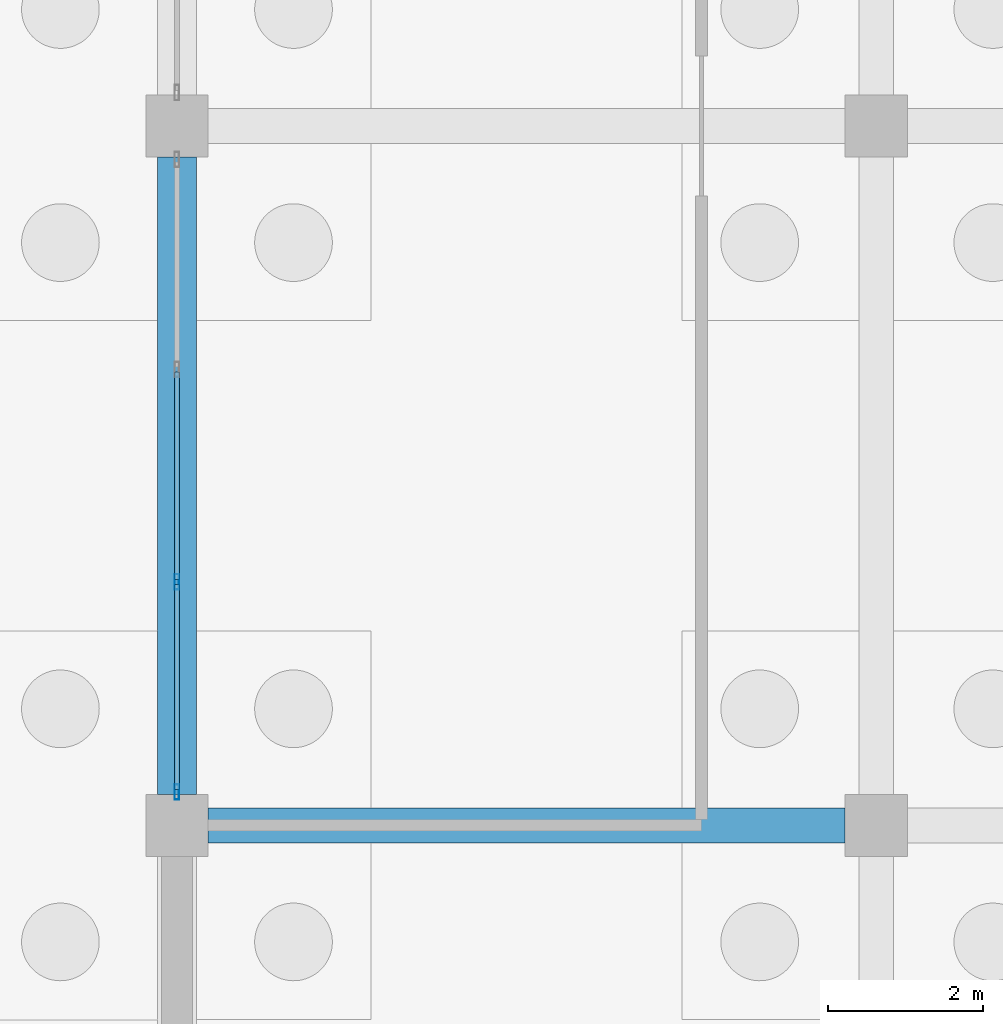
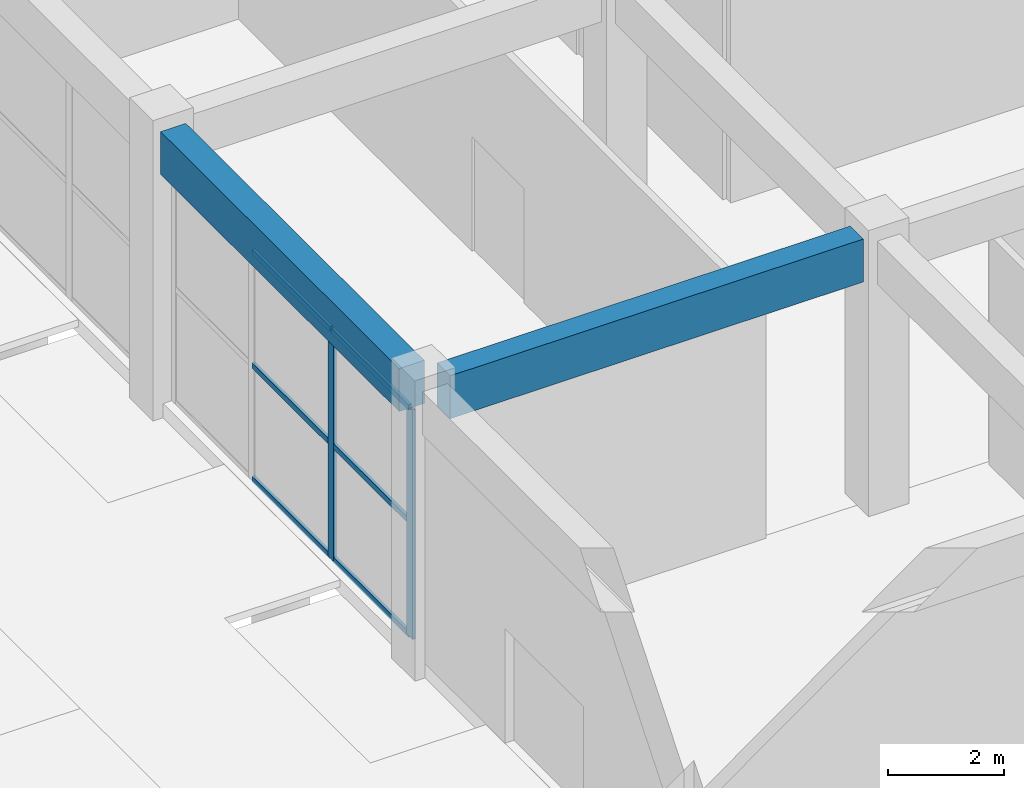
# One storey, part 58 of 198: 8 members, 2 beams, 1 element without a shape of its own.
"""IFC4 building model written with IfcOpenShell, lengths in metres."""

from ifc_helpers import new_model, si_unit, direction, frame, origin, origin_2d, place, context, subcontext, project, spatial, rectangle, hollow_rectangle, extrude, material, layer, layer_set, material_profile, profile_set, type_object, element, aggregate, save


model = new_model("IFC4")

# Units and contexts
model_context = context("Model", 3, precision=1e-05, world=origin(), true_north=direction((0.0, 1.0)))
body_context = subcontext(model_context, "Body", "Model", "MODEL_VIEW")
ifc_project = project(units=[si_unit("LENGTHUNIT", "METRE"), si_unit("AREAUNIT", "SQUARE_METRE"), si_unit("VOLUMEUNIT", "CUBIC_METRE"), si_unit("PLANEANGLEUNIT", "RADIAN"), si_unit("MASSUNIT", "GRAM", prefix="KILO")], contexts=[model_context])

# Site, building, storey
site_placement = place(None, origin())
site = spatial("IfcSite", under=ifc_project, at=site_placement, CompositionType="ELEMENT")
building_placement = place(site_placement, origin())
building = spatial("IfcBuilding", under=site, at=building_placement, Name="Opaline Strait Convention Centre", CompositionType="ELEMENT")
storey_placement = place(building_placement, origin())
storey = spatial("IfcBuildingStorey", under=building, at=storey_placement, Name="L00", CompositionType="ELEMENT", Elevation=0.0)

# Curtain wall, members
ifc_material_1 = material(Name="Aluminium framed double glazing", Category="aluminium")
ifc_layer = layer(ifc_material_1, 0.199951171875)
ifc_layer_set = layer_set([ifc_layer], Name="Aluminium framed double glazing")
curtain_wall_type = type_object("IfcCurtainWallType", Name="Curtain wall 3000 module unitised", PredefinedType="NOTDEFINED", material=ifc_layer_set)
curtain_wall_placement = place(storey_placement, origin())
curtain_wall = element("IfcCurtainWall", 1, at=curtain_wall_placement, inside=storey, type_object=curtain_wall_type, Name="Curtain wall W L00 32/R", PredefinedType="NOTDEFINED")
ifc_material_2 = material(Name="Aluminium alloy 6063", Category="aluminium")
ifc_material_profile_1 = material_profile(ifc_material_2, hollow_rectangle(XDim=0.06005859375, YDim=0.199951171875, WallThickness=0.00390625, at=origin_2d()), Name="MULLION 60x200x4")
ifc_profile_set_1 = profile_set([ifc_material_profile_1], Name="Aluminium alloy 6063")
member_type_1 = type_object("IfcMemberType", Name="Curtain wall mullion 60 x 200", PredefinedType="MULLION", material=ifc_profile_set_1)
member_1_placement = place(storey_placement, frame((279.0, 135.429931640625, 0.0), z_axis=(0.0, 0.0, 1.0), x_axis=(-1.0, 0.0, 0.0)))
member_1 = element("IfcMember", 2, at=member_1_placement, type_object=member_type_1, Name="MCWR1 mullion 1", PredefinedType="MULLION", context=body_context, shape_type="SweptSolid", body=[
    extrude(hollow_rectangle(XDim=0.06005859375, YDim=0.199951171875, WallThickness=0.00390625, at=origin_2d()), origin(), (0.0, 0.0, 1.0), 4.820068359375),
])
member_2_placement = place(storey_placement, frame((279.0, 138.13330078125, 0.0), z_axis=(0.0, 0.0, 1.0), x_axis=(-1.0, 0.0, 0.0)))
member_2 = element("IfcMember", 3, at=member_2_placement, type_object=member_type_1, Name="MCWR1 mullion 2", PredefinedType="MULLION", context=body_context, shape_type="SweptSolid", body=[
    extrude(hollow_rectangle(XDim=0.06005859375, YDim=0.199951171875, WallThickness=0.00390625, at=origin_2d()), origin(), (0.0, 0.0, 1.0), 4.820068359375),
])
ifc_material_profile_2 = material_profile(ifc_material_2, hollow_rectangle(XDim=0.06005859375, YDim=0.1201171875, WallThickness=0.0029296875, at=origin_2d()), Name="TRANSOM 60x120x3")
ifc_profile_set_2 = profile_set([ifc_material_profile_2], Name="Aluminium alloy 6063")
member_type_2 = type_object("IfcMemberType", Name="Curtain wall transom 60 x 120", PredefinedType="USERDEFINED", material=ifc_profile_set_2)
member_3_placement = place(storey_placement, frame((279.0, 135.4599609375, 0.030029296875), z_axis=(0.0, 1.0, 0.0), x_axis=(-1.0, 0.0, 0.0)))
member_3 = element("IfcMember", 4, at=member_3_placement, type_object=member_type_2, Name="MCWR1 transom 1.1", ObjectType="TRANSOM", PredefinedType="USERDEFINED", context=body_context, shape_type="SweptSolid", body=[
    extrude(hollow_rectangle(XDim=0.06005859375, YDim=0.1201171875, WallThickness=0.0029296875, at=origin_2d()), origin(), (0.0, 0.0, 1.0), 2.643310546875),
])
member_4_placement = place(storey_placement, frame((279.0, 135.4599609375, 2.409912109375), z_axis=(0.0, 1.0, 0.0), x_axis=(-1.0, 0.0, 0.0)))
member_4 = element("IfcMember", 5, at=member_4_placement, type_object=member_type_2, Name="MCWR1 transom 1.2", ObjectType="TRANSOM", PredefinedType="USERDEFINED", context=body_context, shape_type="SweptSolid", body=[
    extrude(hollow_rectangle(XDim=0.06005859375, YDim=0.1201171875, WallThickness=0.0029296875, at=origin_2d()), origin(), (0.0, 0.0, 1.0), 2.643310546875),
])
member_5_placement = place(storey_placement, frame((279.0, 135.4599609375, 4.7900390625), z_axis=(0.0, 1.0, 0.0), x_axis=(-1.0, 0.0, 0.0)))
member_5 = element("IfcMember", 6, at=member_5_placement, type_object=member_type_2, Name="MCWR1 transom 1.3", ObjectType="TRANSOM", PredefinedType="USERDEFINED", context=body_context, shape_type="SweptSolid", body=[
    extrude(hollow_rectangle(XDim=0.06005859375, YDim=0.1201171875, WallThickness=0.0029296875, at=origin_2d()), origin(), (0.0, 0.0, 1.0), 2.643310546875),
])
member_6_placement = place(storey_placement, frame((279.0, 138.163330078125, 0.030029296875), z_axis=(0.0, 1.0, 0.0), x_axis=(-1.0, 0.0, 0.0)))
member_6 = element("IfcMember", 7, at=member_6_placement, type_object=member_type_2, Name="MCWR1 transom 2.1", ObjectType="TRANSOM", PredefinedType="USERDEFINED", context=body_context, shape_type="SweptSolid", body=[
    extrude(hollow_rectangle(XDim=0.06005859375, YDim=0.1201171875, WallThickness=0.0029296875, at=origin_2d()), origin(), (0.0, 0.0, 1.0), 2.67333984375),
])
member_7_placement = place(storey_placement, frame((279.0, 138.163330078125, 2.409912109375), z_axis=(0.0, 1.0, 0.0), x_axis=(-1.0, 0.0, 0.0)))
member_7 = element("IfcMember", 8, at=member_7_placement, type_object=member_type_2, Name="MCWR1 transom 2.2", ObjectType="TRANSOM", PredefinedType="USERDEFINED", context=body_context, shape_type="SweptSolid", body=[
    extrude(hollow_rectangle(XDim=0.06005859375, YDim=0.1201171875, WallThickness=0.0029296875, at=origin_2d()), origin(), (0.0, 0.0, 1.0), 2.67333984375),
])
member_8_placement = place(storey_placement, frame((279.0, 138.163330078125, 4.7900390625), z_axis=(0.0, 1.0, 0.0), x_axis=(-1.0, 0.0, 0.0)))
member_8 = element("IfcMember", 9, at=member_8_placement, type_object=member_type_2, Name="MCWR1 transom 2.3", ObjectType="TRANSOM", PredefinedType="USERDEFINED", context=body_context, shape_type="SweptSolid", body=[
    extrude(hollow_rectangle(XDim=0.06005859375, YDim=0.1201171875, WallThickness=0.0029296875, at=origin_2d()), origin(), (0.0, 0.0, 1.0), 2.67333984375),
])
aggregate(curtain_wall, [member_1, member_2, member_3, member_4, member_5, member_6, member_7, member_8])

# Beams
ifc_material_3 = material(Name="Concrete C35", Category="concrete")
ifc_material_profile_3 = material_profile(ifc_material_3, rectangle(XDim=0.449951171875, YDim=0.89990234375, at=origin_2d()), Name="RC 450x900")
ifc_profile_set_3 = profile_set([ifc_material_profile_3], Name="Concrete C35")
beam_type_1 = type_object("IfcBeamType", Name="RC beam 450x900 C35", PredefinedType="BEAM", material=ifc_profile_set_3)
beam_1_placement = place(storey_placement, frame((279.39990234375, 135.0, 5.27001953125), z_axis=(1.0, 0.0, 0.0), x_axis=(0.0, 1.0, 0.0)))
element("IfcBeam", 10, at=beam_1_placement, inside=storey, type_object=beam_type_1, Name="XB1 L00 32/R-33/R", PredefinedType="BEAM", context=body_context, shape_type="SweptSolid", body=[
    extrude(rectangle(XDim=0.449951171875, YDim=0.89990234375, at=origin_2d()), origin(), (0.0, 0.0, 1.0), 8.2001953125),
])
ifc_material_profile_4 = material_profile(ifc_material_3, rectangle(XDim=0.5, YDim=0.89990234375, at=origin_2d()), Name="RC 500x900")
ifc_profile_set_4 = profile_set([ifc_material_profile_4], Name="Concrete C35")
beam_type_2 = type_object("IfcBeamType", Name="RC edge beam 500x900 C35", PredefinedType="BEAM", material=ifc_profile_set_4)
beam_2_placement = place(storey_placement, frame((279.0, 135.39990234375, 5.27001953125), z_axis=(0.0, 1.0, 0.0), x_axis=(-1.0, 0.0, 0.0)))
element("IfcBeam", 11, at=beam_2_placement, inside=storey, type_object=beam_type_2, Name="MRB2 L00 32/R-32/S", PredefinedType="BEAM", context=body_context, shape_type="SweptSolid", body=[
    extrude(rectangle(XDim=0.5, YDim=0.89990234375, at=origin_2d()), origin(), (0.0, 0.0, 1.0), 8.2001953125),
])

save(model, "model.ifc")
